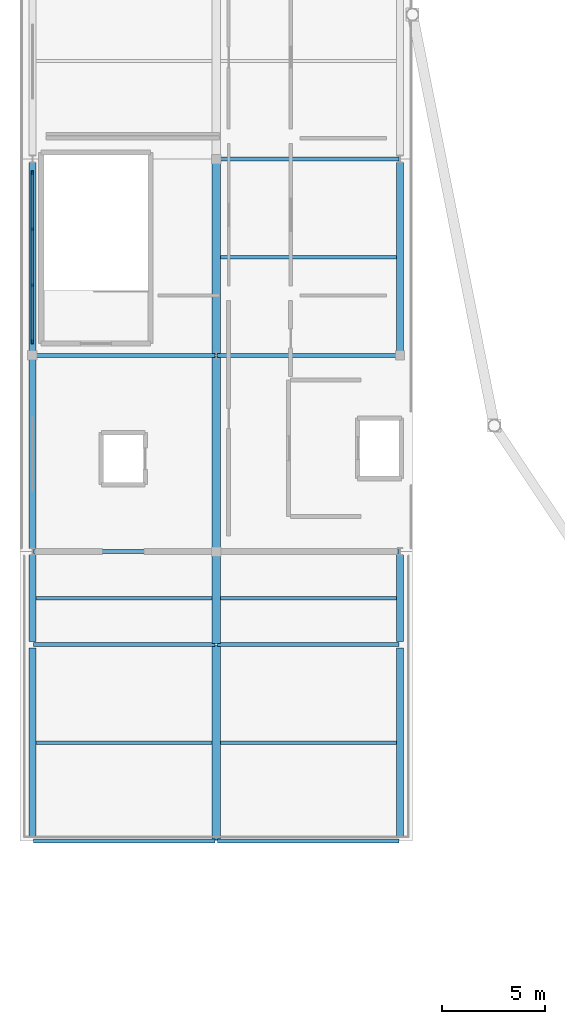
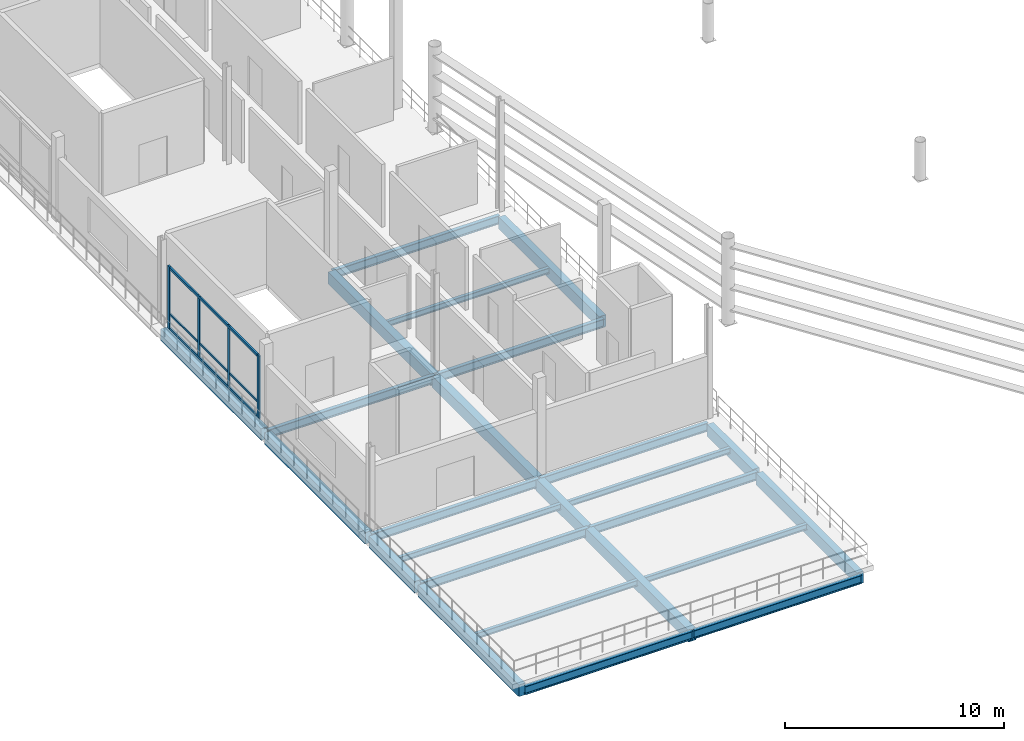
# One storey, part 16 of 29: 25 beams, 7 members, 1 element without a shape of its own.
"""IFC4 building model written with IfcOpenShell, lengths in metres."""

import ifcopenshell
import ifcopenshell.guid

model = None  # the IFC model being written
_history = None  # IfcOwnerHistory: only IFC2X3 demands one
_inside = {}  # id of a spatial element -> (the spatial element, [elements in it])
_under = {}  # id of a project, library or spatial element -> (it, [spatial elements below it])
_declared = {}  # id of a project -> (the project, [libraries it declares])
_typed = {}  # id of a type object -> (the type object, [elements of that type])
_made_of = {}  # id of a material, layer set ... -> (it, [elements and type objects made of it])


def new_model(schema):
    """Start an empty IFC model of exactly this schema.

    Asked for "IFC4X3", IfcOpenShell would pick the latest addendum, in which some entities
    have other attributes; the version numbers below select the first issue.
    IFC2X3 requires an IfcOwnerHistory on every rooted entity: one is made here for all.
    """
    global model, _history
    if schema == "IFC4X3":
        model = ifcopenshell.file(schema_version=(4, 3, 0, 0))
    else:
        model = ifcopenshell.file(schema=schema)
    _inside.clear()
    _under.clear()
    _declared.clear()
    _typed.clear()
    _made_of.clear()
    _history = None
    if model.schema == "IFC2X3":
        org = make("IfcOrganization", Name="unknown")
        user = make(
            "IfcPersonAndOrganization",
            ThePerson=make("IfcPerson", FamilyName="unknown"),
            TheOrganization=org,
        )
        app = make(
            "IfcApplication",
            ApplicationDeveloper=org,
            Version="unknown",
            ApplicationFullName="unknown",
            ApplicationIdentifier="unknown",
        )
        _history = make(
            "IfcOwnerHistory",
            OwningUser=user,
            OwningApplication=app,
            ChangeAction="ADDED",
            CreationDate=0,
        )
    return model


def make(cls, **values):
    """One entity of the class cls with the attributes given. An attribute that is None is left unset."""
    return model.create_entity(
        cls, **{name: value for name, value in values.items() if value is not None}
    )


def rooted(cls, **values):
    """An entity with a GlobalId (a new one), such as an element, a storey or a relation."""
    return make(cls, GlobalId=ifcopenshell.guid.new(), OwnerHistory=_history, **values)


def si_unit(unit_type, name, prefix=None):
    """IfcSIUnit, for example si_unit("LENGTHUNIT", "METRE", prefix="MILLI")."""
    return make("IfcSIUnit", UnitType=unit_type, Prefix=prefix, Name=name)


def assignment(units):
    """IfcUnitAssignment: the units of a project."""
    return None if units is None else make("IfcUnitAssignment", Units=units)


def point(xyz):
    """IfcCartesianPoint."""
    return None if xyz is None else make("IfcCartesianPoint", Coordinates=xyz)


def direction(xyz):
    """IfcDirection."""
    return None if xyz is None else make("IfcDirection", DirectionRatios=xyz)


def frame(location, z_axis=None, x_axis=None):
    """IfcAxis2Placement3D, a coordinate frame: its origin and axes. An axis left out is left unset."""
    return make(
        "IfcAxis2Placement3D",
        Location=point(location),
        Axis=direction(z_axis),
        RefDirection=direction(x_axis),
    )


def frame_2d(location, x_axis=None):
    """IfcAxis2Placement2D, a coordinate frame in the plane: its origin and x axis."""
    return make(
        "IfcAxis2Placement2D", Location=point(location), RefDirection=direction(x_axis)
    )


def origin():
    """The frame at (0, 0, 0) with its axes left unset."""
    return frame((0.0, 0.0, 0.0))


def origin_2d():
    """The frame at (0, 0) in the plane with its x axis left unset."""
    return frame_2d((0.0, 0.0))


def place(relative_to, where):
    """IfcLocalPlacement: puts the frame where relative to a parent placement (None: the world)."""
    return make(
        "IfcLocalPlacement", PlacementRelTo=relative_to, RelativePlacement=where
    )


def context(
    kind, dimensions, precision=None, world=None, true_north=None, identifier=None
):
    """IfcGeometricRepresentationContext, for example the 3D "Model" context."""
    return make(
        "IfcGeometricRepresentationContext",
        ContextIdentifier=identifier,
        ContextType=kind,
        CoordinateSpaceDimension=dimensions,
        Precision=precision,
        WorldCoordinateSystem=world,
        TrueNorth=true_north,
    )


def subcontext(parent, identifier, kind, view, scale=None):
    """IfcGeometricRepresentationSubContext, for example "Body" below "Model"."""
    return make(
        "IfcGeometricRepresentationSubContext",
        ContextIdentifier=identifier,
        ContextType=kind,
        ParentContext=parent,
        TargetScale=scale,
        TargetView=view,
    )


def project(units=None, contexts=None):
    """IfcProject with its units and contexts."""
    return rooted(
        "IfcProject",
        Name="project",
        RepresentationContexts=contexts,
        UnitsInContext=assignment(units),
    )


def spatial(cls, under=None, at=None, **own):
    """A site, building, storey or space (cls), placed at a placement, below another one or the project."""
    s = rooted(cls, ObjectPlacement=at, **own)
    if under is not None:
        _under.setdefault(under.id(), (under, []))[1].append(s)
    return s


def profile(cls, at=None, kind="AREA", **sizes):
    """A parametric profile (cls). Its sizes go by their IFC names, for example OverallWidth=200.0."""
    return make(cls, ProfileType=kind, Position=at, **sizes)


def rectangle(**sizes):
    """IfcRectangleProfileDef."""
    return profile("IfcRectangleProfileDef", **sizes)


def i_section(**sizes):
    """IfcIShapeProfileDef."""
    return profile("IfcIShapeProfileDef", **sizes)


def extrude(swept, where, along, depth):
    """IfcExtrudedAreaSolid: the profile swept, set in the frame where, extruded along a direction by depth."""
    return make(
        "IfcExtrudedAreaSolid",
        SweptArea=swept,
        Position=where,
        ExtrudedDirection=direction(along),
        Depth=depth,
    )


def shape(context_of_items, identifier, shape_type, items):
    """IfcShapeRepresentation: the items that make up one representation, for example the "Body"."""
    return make(
        "IfcShapeRepresentation",
        ContextOfItems=context_of_items,
        RepresentationIdentifier=identifier,
        RepresentationType=shape_type,
        Items=items,
    )


def material(Name=None, Category=None):
    """IfcMaterial."""
    return make("IfcMaterial", Name=Name, Category=Category)


def material_profile(
    of_material, cross_section, Name=None, Category=None, Priority=None
):
    """IfcMaterialProfile: a cross section and its material."""
    return make(
        "IfcMaterialProfile",
        Name=Name,
        Material=of_material,
        Profile=cross_section,
        Priority=Priority,
        Category=Category,
    )


def profile_set(profiles, Name=None, composite=None):
    """IfcMaterialProfileSet."""
    return make(
        "IfcMaterialProfileSet",
        Name=Name,
        MaterialProfiles=profiles,
        CompositeProfile=composite,
    )


def made_of(thing, what):
    """Note that an element or type object is made of a material, layer set ...; save() writes the relation."""
    if what is not None:
        _made_of.setdefault(what.id(), (what, []))[1].append(thing)
    return thing


def type_object(cls, material=None, **own):
    """A type object (cls), such as IfcWallType, which elements share."""
    return made_of(rooted(cls, **own), material)


def element(
    cls,
    number,
    at=None,
    inside=None,
    cuts=None,
    type_object=None,
    material=None,
    context=None,
    identifier="Body",
    shape_type=None,
    held_by="IfcProductDefinitionShape",
    body=None,
    shapes=None,
    **own,
):
    """One element of the class cls, such as IfcWall. Its Tag is "e" and its number.

    at: its placement. inside: the storey or other place that contains it. cuts: it is an
    opening in that element (IfcRelVoidsElement). A single representation is given by context,
    identifier, shape_type and body (its items); several are given by shapes. held_by: the class
    of the entity that holds the representations. save() writes the other relations.
    """
    e = rooted(cls, Tag="e%d" % number, ObjectPlacement=at, **own)
    if body is not None:
        shapes = [shape(context, identifier, shape_type, body)]
    if shapes is not None:
        e.Representation = make(held_by, Representations=shapes)
    if inside is not None:
        _inside.setdefault(inside.id(), (inside, []))[1].append(e)
    if cuts is not None:
        rooted(
            "IfcRelVoidsElement", RelatingBuildingElement=cuts, RelatedOpeningElement=e
        )
    if type_object is not None:
        _typed.setdefault(type_object.id(), (type_object, []))[1].append(e)
    return made_of(e, material)


def aggregate(whole, parts):
    """IfcRelAggregates: a whole, such as a stair, and the parts it consists of."""
    return rooted("IfcRelAggregates", RelatingObject=whole, RelatedObjects=parts)


def save(model, path):
    """Write the relations noted so far, then the file.

    IfcRelAggregates (storeys below a building ...), IfcRelContainedInSpatialStructure (elements
    in a storey), IfcRelDefinesByType, IfcRelAssociatesMaterial and IfcRelDeclares: one each for
    every whole, place, type object, material and project.
    """
    for whole, parts in _under.values():
        aggregate(whole, parts)
    for where, things in _inside.values():
        rooted(
            "IfcRelContainedInSpatialStructure",
            RelatedElements=things,
            RelatingStructure=where,
        )
    for kind, things in _typed.values():
        rooted("IfcRelDefinesByType", RelatedObjects=things, RelatingType=kind)
    for what, things in _made_of.values():
        rooted("IfcRelAssociatesMaterial", RelatedObjects=things, RelatingMaterial=what)
    for by, libraries in _declared.values():
        rooted("IfcRelDeclares", RelatingContext=by, RelatedDefinitions=libraries)
    model.write(path)


model = new_model("IFC4")

# Units and contexts
model_context = context("Model", 3, precision=1e-05, world=origin(), true_north=direction((0.0, 1.0)))
body_context = subcontext(model_context, "Body", "Model", "MODEL_VIEW")
ifc_project = project(units=[si_unit("LENGTHUNIT", "METRE"), si_unit("AREAUNIT", "SQUARE_METRE"), si_unit("VOLUMEUNIT", "CUBIC_METRE"), si_unit("PLANEANGLEUNIT", "RADIAN"), si_unit("MASSUNIT", "GRAM", prefix="KILO")], contexts=[model_context])

# Site, building, storey
site_placement = place(None, origin())
site = spatial("IfcSite", under=ifc_project, at=site_placement, CompositionType="ELEMENT")
building_placement = place(site_placement, origin())
building = spatial("IfcBuilding", under=site, at=building_placement, Name="Candeia Ridge Stadium", CompositionType="ELEMENT")
storey_placement = place(building_placement, frame((0.0, 0.0, 27.0)))
storey = spatial("IfcBuildingStorey", under=building, at=storey_placement, Name="L05", CompositionType="ELEMENT", Elevation=27.0)

# Curtain wall, members
ifc_material_1 = material(Name="Aluminium Anodized Warm Bronze", Category="aluminium")
curtain_wall_type = type_object("IfcCurtainWallType", Name="West Pavilion Hospitality Curtain Wall", PredefinedType="NOTDEFINED", material=ifc_material_1)
curtain_wall_placement = place(storey_placement, origin())
curtain_wall = element("IfcCurtainWall", 1, at=curtain_wall_placement, inside=storey, type_object=curtain_wall_type, Name="Unitised curtain wall CW-WNG-L05-098", PredefinedType="NOTDEFINED")
ifc_material_profile_1 = material_profile(ifc_material_1, rectangle(XDim=0.090087890625, YDim=0.179931640625, at=origin_2d()), Name="CWM-90x180", Category="aluminium")
ifc_profile_set_1 = profile_set([ifc_material_profile_1], Name="Aluminium Anodized Warm Bronze")
member_type_1 = type_object("IfcMemberType", Name="Curtain Wall Primary Mullion 90x180", PredefinedType="MULLION", material=ifc_profile_set_1)
member_1_placement = place(storey_placement, frame((0.60009765625, 55.159912109375, 0.0), z_axis=(0.0, 0.0, 1.0), x_axis=(1.0, 0.0, 0.0)))
member_1 = element("IfcMember", 2, at=member_1_placement, type_object=member_type_1, Name="Curtain wall mullion CW-WNG-L05-098-M0", PredefinedType="MULLION", context=body_context, shape_type="SweptSolid", body=[
    extrude(rectangle(XDim=0.090087890625, YDim=0.179931640625, at=origin_2d()), origin(), (0.0, 0.0, 1.0), 3.5),
])
member_2_placement = place(storey_placement, frame((0.60009765625, 63.340087890625, 0.0), z_axis=(0.0, 0.0, 1.0), x_axis=(1.0, 0.0, 0.0)))
member_2 = element("IfcMember", 3, at=member_2_placement, type_object=member_type_1, Name="Curtain wall mullion CW-WNG-L05-098-M3", PredefinedType="MULLION", context=body_context, shape_type="SweptSolid", body=[
    extrude(rectangle(XDim=0.090087890625, YDim=0.179931640625, at=origin_2d()), origin(), (0.0, 0.0, 1.0), 3.5),
])
ifc_material_profile_2 = material_profile(ifc_material_1, rectangle(XDim=0.074951171875, YDim=0.14990234375, at=origin_2d()), Name="CWM-75x150", Category="aluminium")
ifc_profile_set_2 = profile_set([ifc_material_profile_2], Name="Aluminium Anodized Warm Bronze")
member_type_2 = type_object("IfcMemberType", Name="Curtain Wall Secondary Mullion 75x150", PredefinedType="MULLION", material=ifc_profile_set_2)
member_3_placement = place(storey_placement, frame((0.60009765625, 57.88671875, 0.0), z_axis=(0.0, 0.0, 1.0), x_axis=(1.0, 0.0, 0.0)))
member_3 = element("IfcMember", 4, at=member_3_placement, type_object=member_type_2, Name="Curtain wall mullion CW-WNG-L05-098-M1", PredefinedType="MULLION", context=body_context, shape_type="SweptSolid", body=[
    extrude(rectangle(XDim=0.074951171875, YDim=0.14990234375, at=origin_2d()), origin(), (0.0, 0.0, 1.0), 3.5),
])
member_4_placement = place(storey_placement, frame((0.60009765625, 60.61328125, 0.0), z_axis=(0.0, 0.0, 1.0), x_axis=(1.0, 0.0, 0.0)))
member_4 = element("IfcMember", 5, at=member_4_placement, type_object=member_type_2, Name="Curtain wall mullion CW-WNG-L05-098-M2", PredefinedType="MULLION", context=body_context, shape_type="SweptSolid", body=[
    extrude(rectangle(XDim=0.074951171875, YDim=0.14990234375, at=origin_2d()), origin(), (0.0, 0.0, 1.0), 3.5),
])
ifc_material_profile_3 = material_profile(ifc_material_1, rectangle(XDim=0.074951171875, YDim=0.110107421875, at=origin_2d()), Name="CWT-75x110", Category="aluminium")
ifc_profile_set_3 = profile_set([ifc_material_profile_3], Name="Aluminium Anodized Warm Bronze")
member_type_3 = type_object("IfcMemberType", Name="Curtain Wall Secondary Transom 75x110", PredefinedType="USERDEFINED", material=ifc_profile_set_3)
member_5_placement = place(storey_placement, frame((0.60009765625, 55.159912109375, 0.875), z_axis=(0.0, 1.0, 0.0), x_axis=(-1.0, 0.0, 0.0)))
member_5 = element("IfcMember", 6, at=member_5_placement, type_object=member_type_3, Name="Curtain wall transom CW-WNG-L05-098-T1", ObjectType="TRANSOM", PredefinedType="USERDEFINED", context=body_context, shape_type="SweptSolid", body=[
    extrude(rectangle(XDim=0.074951171875, YDim=0.110107421875, at=origin_2d()), origin(), (0.0, 0.0, 1.0), 8.18017578125),
])
ifc_material_profile_4 = material_profile(ifc_material_1, rectangle(XDim=0.090087890625, YDim=0.139892578125, at=origin_2d()), Name="CWT-90x140", Category="aluminium")
ifc_profile_set_4 = profile_set([ifc_material_profile_4], Name="Aluminium Anodized Warm Bronze")
member_type_4 = type_object("IfcMemberType", Name="Curtain Wall Transom 90x140", PredefinedType="USERDEFINED", material=ifc_profile_set_4)
member_6_placement = place(storey_placement, frame((0.60009765625, 55.159912109375, 0.070068359375), z_axis=(0.0, 1.0, 0.0), x_axis=(-1.0, 0.0, 0.0)))
member_6 = element("IfcMember", 7, at=member_6_placement, type_object=member_type_4, Name="Curtain wall transom CW-WNG-L05-098-T0", ObjectType="TRANSOM", PredefinedType="USERDEFINED", context=body_context, shape_type="SweptSolid", body=[
    extrude(rectangle(XDim=0.090087890625, YDim=0.139892578125, at=origin_2d()), origin(), (0.0, 0.0, 1.0), 8.18017578125),
])
member_7_placement = place(storey_placement, frame((0.60009765625, 55.159912109375, 3.429931640625), z_axis=(0.0, 1.0, 0.0), x_axis=(-1.0, 0.0, 0.0)))
member_7 = element("IfcMember", 8, at=member_7_placement, type_object=member_type_4, Name="Curtain wall transom CW-WNG-L05-098-T2", ObjectType="TRANSOM", PredefinedType="USERDEFINED", context=body_context, shape_type="SweptSolid", body=[
    extrude(rectangle(XDim=0.090087890625, YDim=0.139892578125, at=origin_2d()), origin(), (0.0, 0.0, 1.0), 8.18017578125),
])
aggregate(curtain_wall, [member_1, member_3, member_4, member_2, member_6, member_5, member_7])

# Beams
ifc_material_2 = material(Name="Steel ASTM A572 Grade 50", Category="steel")
ifc_material_profile_5 = material_profile(ifc_material_2, i_section(OverallWidth=0.194091796875, OverallDepth=0.468994140625, WebThickness=0.0126953125, FlangeThickness=0.0205078125, FilletRadius=0.012939453125, at=origin_2d()), Name="W460x106", Category="steel")
ifc_profile_set_5 = profile_set([ifc_material_profile_5], Name="Steel ASTM A572 Grade 50")
beam_type_1 = type_object("IfcBeamType", Name="Gondola Primary Girder W460x106", PredefinedType="BEAM", material=ifc_profile_set_5)
for number, where, z_axis, x_axis, name in (
    (9, (0.64990234375, 31.0, -0.50439453125), (1.0, 0.0, 0.0), (0.0, 1.0, 0.0), "Structural girder BM-L05-1385"),
    (10, (0.64990234375, 40.5, -0.50439453125), (1.0, 0.0, 0.0), (0.0, 1.0, 0.0), "Structural girder BM-L05-1387"),
    (11, (0.64990234375, 45.0, -0.50439453125), (1.0, 0.0, 0.0), (0.0, 1.0, 0.0), "Structural girder BM-L05-1389"),
    (12, (0.64990234375, 54.5, -0.484619140625), (1.0, 0.0, 0.0), (0.0, 1.0, 0.0), "Structural girder BM-L05-1390"),
    (13, (9.550048828125, 31.0, -0.50439453125), (1.0, 0.0, 0.0), (0.0, 1.0, 0.0), "Structural girder BM-L05-1399"),
    (14, (9.550048828125, 40.5, -0.50439453125), (1.0, 0.0, 0.0), (0.0, 1.0, 0.0), "Structural girder BM-L05-1401"),
    (15, (9.550048828125, 45.0, -0.50439453125), (1.0, 0.0, 0.0), (0.0, 1.0, 0.0), "Structural girder BM-L05-1403"),
    (16, (9.550048828125, 54.5, -0.484619140625), (1.0, 0.0, 0.0), (0.0, 1.0, 0.0), "Structural girder BM-L05-1404"),
    (17, (9.550048828125, 64.0, -0.484619140625), (1.0, 0.0, 0.0), (0.0, 1.0, 0.0), "Structural girder BM-L05-1406"),
):
    element("IfcBeam", number, at=place(storey_placement, frame(where, z_axis=z_axis, x_axis=x_axis)), inside=storey, type_object=beam_type_1, Name=name, PredefinedType="BEAM", context=body_context, shape_type="SweptSolid", body=[
        extrude(i_section(OverallWidth=0.194091796875, OverallDepth=0.468994140625, WebThickness=0.0126953125, FlangeThickness=0.0205078125, FilletRadius=0.012939453125, at=origin_2d()), origin(), (0.0, 0.0, 1.0), 8.800048828125),
    ])
ifc_material_profile_6 = material_profile(ifc_material_2, i_section(OverallWidth=0.1669921875, OverallDepth=0.31689453125, WebThickness=0.007568359375, FlangeThickness=0.01318359375, FilletRadius=0.011962890625, at=origin_2d()), Name="W310x52", Category="steel")
ifc_profile_set_6 = profile_set([ifc_material_profile_6], Name="Steel ASTM A572 Grade 50")
beam_type_2 = type_object("IfcBeamType", Name="Pavilion Secondary Joist W310x52", PredefinedType="JOIST", material=ifc_profile_set_6)
for number, where, z_axis, x_axis, name in (
    (18, (0.7744140625, 35.75, -0.428466796875), (1.0, 0.0, 0.0), (0.0, 1.0, 0.0), "Wing secondary joist BM-L05-1386"),
    (19, (0.7744140625, 42.75, -0.428466796875), (1.0, 0.0, 0.0), (0.0, 1.0, 0.0), "Wing secondary joist BM-L05-1388"),
    (20, (9.699462890625, 35.75, -0.428466796875), (1.0, 0.0, 0.0), (0.0, 1.0, 0.0), "Wing secondary joist BM-L05-1400"),
    (21, (9.699462890625, 42.75, -0.428466796875), (1.0, 0.0, 0.0), (0.0, 1.0, 0.0), "Wing secondary joist BM-L05-1402"),
    (22, (9.699462890625, 59.25, -0.408447265625), (1.0, 0.0, 0.0), (0.0, 1.0, 0.0), "Wing secondary joist BM-L05-1405"),
):
    element("IfcBeam", number, at=place(storey_placement, frame(where, z_axis=z_axis, x_axis=x_axis)), inside=storey, type_object=beam_type_2, Name=name, PredefinedType="JOIST", context=body_context, shape_type="SweptSolid", body=[
        extrude(i_section(OverallWidth=0.1669921875, OverallDepth=0.31689453125, WebThickness=0.007568359375, FlangeThickness=0.01318359375, FilletRadius=0.011962890625, at=origin_2d()), origin(), (0.0, 0.0, 1.0), 8.526123046875),
    ])
ifc_material_3 = material(Name="Concrete C40/50", Category="concrete")
ifc_material_profile_7 = material_profile(ifc_material_3, rectangle(XDim=0.35009765625, YDim=0.64990234375, at=origin_2d()), Name="RC350x650", Category="concrete")
ifc_profile_set_7 = profile_set([ifc_material_profile_7], Name="Concrete C40/50")
beam_type_3 = type_object("IfcBeamType", Name="Spandrel Beam RC350x650", PredefinedType="SPANDREL", material=ifc_profile_set_7)
beam_1_placement = place(storey_placement, frame((0.60009765625, 31.159912109375, -0.594970703125), z_axis=(0.0, 1.0, 0.0), x_axis=(-1.0, 0.0, 0.0)))
element("IfcBeam", 23, at=beam_1_placement, inside=storey, type_object=beam_type_3, Name="Structural girder BM-L05-1353", PredefinedType="SPANDREL", context=body_context, shape_type="SweptSolid", body=[
    extrude(rectangle(XDim=0.35009765625, YDim=0.64990234375, at=origin_2d()), origin(), (0.0, 0.0, 1.0), 9.18017578125),
])
beam_2_placement = place(storey_placement, frame((0.60009765625, 40.659912109375, -0.594970703125), z_axis=(0.0, 1.0, 0.0), x_axis=(-1.0, 0.0, 0.0)))
element("IfcBeam", 24, at=beam_2_placement, inside=storey, type_object=beam_type_3, Name="Structural girder BM-L05-1354", PredefinedType="SPANDREL", context=body_context, shape_type="SweptSolid", body=[
    extrude(rectangle(XDim=0.35009765625, YDim=0.64990234375, at=origin_2d()), origin(), (0.0, 0.0, 1.0), 4.18017578125),
])
for number, where, z_axis, x_axis, name in (
    (25, (0.60009765625, 45.159912109375, -0.594970703125), (0.0, 1.0, 0.0), (-1.0, 0.0, 0.0), "Structural girder BM-L05-1355"),
    (26, (0.60009765625, 54.659912109375, -0.574951171875), (0.0, 1.0, 0.0), (-1.0, 0.0, 0.0), "Structural girder BM-L05-1356"),
    (27, (18.39990234375, 31.159912109375, -0.594970703125), (0.0, 1.0, 0.0), (-1.0, 0.0, 0.0), "Structural girder BM-L05-1375"),
):
    element("IfcBeam", number, at=place(storey_placement, frame(where, z_axis=z_axis, x_axis=x_axis)), inside=storey, type_object=beam_type_3, Name=name, PredefinedType="SPANDREL", context=body_context, shape_type="SweptSolid", body=[
        extrude(rectangle(XDim=0.35009765625, YDim=0.64990234375, at=origin_2d()), origin(), (0.0, 0.0, 1.0), 9.18017578125),
    ])
beam_3_placement = place(storey_placement, frame((18.39990234375, 40.659912109375, -0.594970703125), z_axis=(0.0, 1.0, 0.0), x_axis=(-1.0, 0.0, 0.0)))
element("IfcBeam", 28, at=beam_3_placement, inside=storey, type_object=beam_type_3, Name="Structural girder BM-L05-1376", PredefinedType="SPANDREL", context=body_context, shape_type="SweptSolid", body=[
    extrude(rectangle(XDim=0.35009765625, YDim=0.64990234375, at=origin_2d()), origin(), (0.0, 0.0, 1.0), 4.18017578125),
])
beam_4_placement = place(storey_placement, frame((18.39990234375, 54.659912109375, -0.574951171875), z_axis=(0.0, 1.0, 0.0), x_axis=(-1.0, 0.0, 0.0)))
element("IfcBeam", 29, at=beam_4_placement, inside=storey, type_object=beam_type_3, Name="Structural girder BM-L05-1377", PredefinedType="SPANDREL", context=body_context, shape_type="SweptSolid", body=[
    extrude(rectangle(XDim=0.35009765625, YDim=0.64990234375, at=origin_2d()), origin(), (0.0, 0.0, 1.0), 9.18017578125),
])
ifc_material_profile_8 = material_profile(ifc_material_3, rectangle(XDim=0.39990234375, YDim=0.64990234375, at=origin_2d()), Name="RC400x650", Category="concrete")
ifc_profile_set_8 = profile_set([ifc_material_profile_8], Name="Concrete C40/50")
beam_type_4 = type_object("IfcBeamType", Name="Wing Primary Girder RC400x650", PredefinedType="BEAM", material=ifc_profile_set_8)
beam_5_placement = place(storey_placement, frame((9.5, 31.050048828125, -0.594970703125), z_axis=(0.0, 1.0, 0.0), x_axis=(-1.0, 0.0, 0.0)))
element("IfcBeam", 30, at=beam_5_placement, inside=storey, type_object=beam_type_4, Name="Structural girder BM-L05-1365", PredefinedType="BEAM", context=body_context, shape_type="SweptSolid", body=[
    extrude(rectangle(XDim=0.39990234375, YDim=0.64990234375, at=origin_2d()), origin(), (0.0, 0.0, 1.0), 9.39990234375),
])
beam_6_placement = place(storey_placement, frame((9.5, 40.550048828125, -0.594970703125), z_axis=(0.0, 1.0, 0.0), x_axis=(-1.0, 0.0, 0.0)))
element("IfcBeam", 31, at=beam_6_placement, inside=storey, type_object=beam_type_4, Name="Structural girder BM-L05-1366", PredefinedType="BEAM", context=body_context, shape_type="SweptSolid", body=[
    extrude(rectangle(XDim=0.39990234375, YDim=0.64990234375, at=origin_2d()), origin(), (0.0, 0.0, 1.0), 4.39990234375),
])
for number, where, z_axis, x_axis, name in (
    (32, (9.5, 45.050048828125, -0.594970703125), (0.0, 1.0, 0.0), (-1.0, 0.0, 0.0), "Structural girder BM-L05-1367"),
    (33, (9.5, 54.550048828125, -0.574951171875), (0.0, 1.0, 0.0), (-1.0, 0.0, 0.0), "Structural girder BM-L05-1368"),
):
    element("IfcBeam", number, at=place(storey_placement, frame(where, z_axis=z_axis, x_axis=x_axis)), inside=storey, type_object=beam_type_4, Name=name, PredefinedType="BEAM", context=body_context, shape_type="SweptSolid", body=[
        extrude(rectangle(XDim=0.39990234375, YDim=0.64990234375, at=origin_2d()), origin(), (0.0, 0.0, 1.0), 9.39990234375),
    ])

save(model, "model.ifc")
